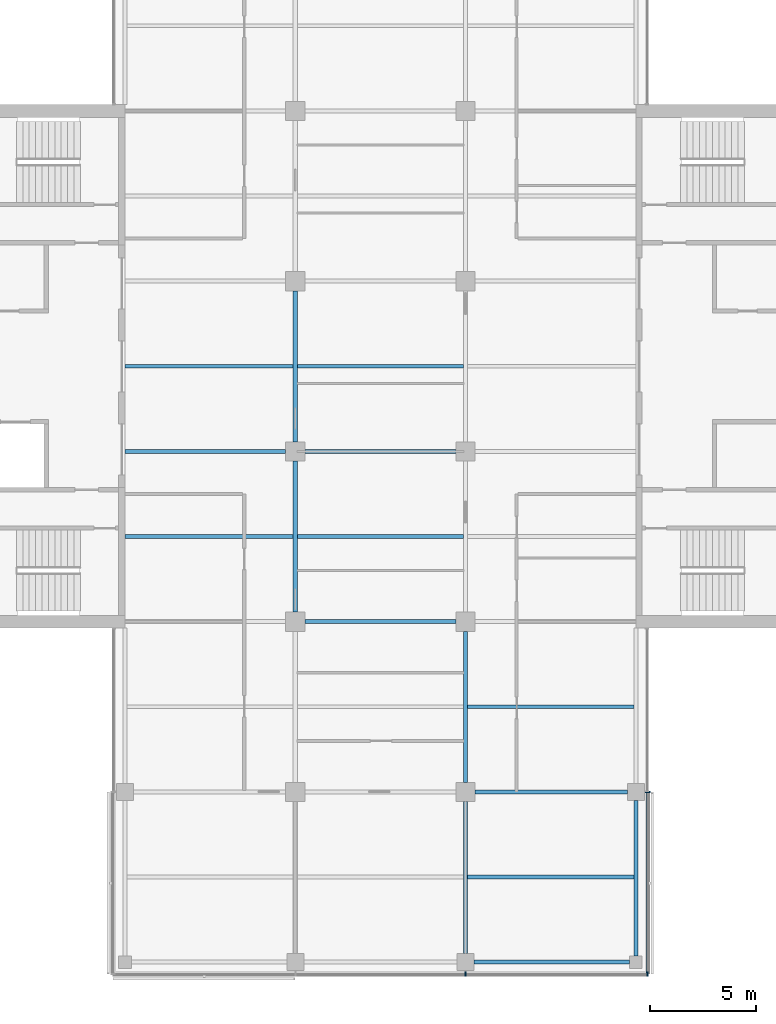
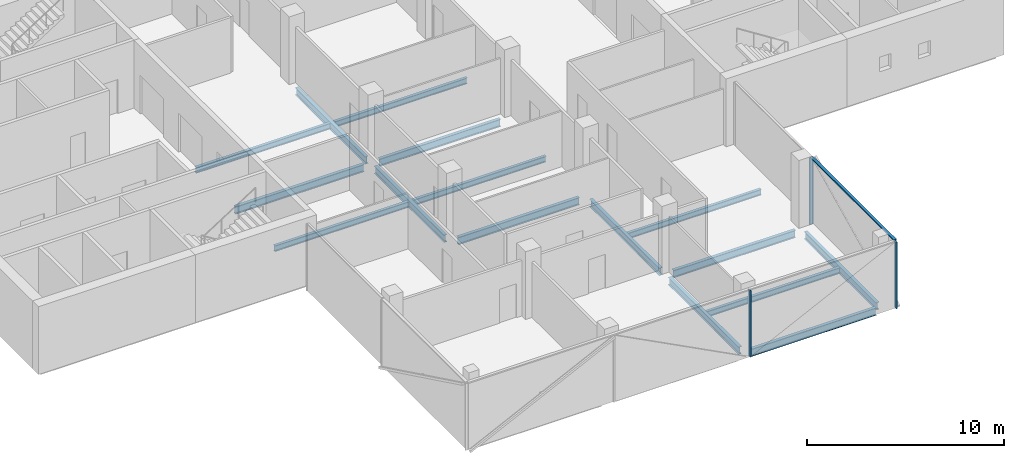
# One storey, part 3 of 15: 16 beams, 4 members, 2 elements without a shape of their own.
"""IFC4 building model written with IfcOpenShell, lengths in metres."""

from ifc_helpers import new_model, si_unit, direction, frame, origin, origin_2d, place, context, subcontext, project, spatial, rectangle, i_section, extrude, material, material_profile, profile_set, type_object, element, aggregate, save


model = new_model("IFC4")

# Units and contexts
model_context = context("Model", 3, precision=1e-05, world=origin(), true_north=direction((0.0, 1.0)))
body_context = subcontext(model_context, "Body", "Model", "MODEL_VIEW")
ifc_project = project(units=[si_unit("LENGTHUNIT", "METRE"), si_unit("AREAUNIT", "SQUARE_METRE"), si_unit("VOLUMEUNIT", "CUBIC_METRE"), si_unit("PLANEANGLEUNIT", "RADIAN"), si_unit("MASSUNIT", "GRAM", prefix="KILO")], contexts=[model_context])

# Site, building, storey
site_placement = place(None, origin())
site = spatial("IfcSite", under=ifc_project, at=site_placement, CompositionType="ELEMENT")
building_placement = place(site_placement, origin())
building = spatial("IfcBuilding", under=site, at=building_placement, Name="Crosswind Convention Tower", CompositionType="ELEMENT")
storey_placement = place(building_placement, frame((0.0, 0.0, 195.699951171875)))
storey = spatial("IfcBuildingStorey", under=building, at=storey_placement, Name="L41", CompositionType="ELEMENT", Elevation=195.699951171875)

# Beams
ifc_material_1 = material(Name="Steel S355", Category="steel")
ifc_material_profile_1 = material_profile(ifc_material_1, i_section(OverallWidth=0.18994140625, OverallDepth=0.45361328125, WebThickness=0.008544921875, FlangeThickness=0.0126953125, FilletRadius=0.01025390625, at=origin_2d()), Name="UB 457x191x67")
ifc_profile_set_1 = profile_set([ifc_material_profile_1], Name="Steel S355")
beam_type_1 = type_object("IfcBeamType", Name="Edge beam UB 457x191x67", PredefinedType="SPANDREL", material=ifc_profile_set_1)
for number, where, z_axis, x_axis, name in (
    (1, (129.39990234375, 72.0, -0.52685546875), (1.0, 0.0, 0.0), (0.0, 1.0, 0.0), "B16 L41 edge beam 9"),
    (2, (137.0, 72.300048828125, -0.52685546875), (0.0, 1.0, 0.0), (-1.0, 0.0, 0.0), "B16 L41 edge beam 11"),
):
    element("IfcBeam", number, at=place(storey_placement, frame(where, z_axis=z_axis, x_axis=x_axis)), inside=storey, type_object=beam_type_1, Name=name, PredefinedType="SPANDREL", context=body_context, shape_type="SweptSolid", body=[
        extrude(i_section(OverallWidth=0.18994140625, OverallDepth=0.45361328125, WebThickness=0.008544921875, FlangeThickness=0.0126953125, FilletRadius=0.01025390625, at=origin_2d()), origin(), (0.0, 0.0, 1.0), 7.300048828125),
    ])
ifc_material_profile_2 = material_profile(ifc_material_1, i_section(OverallWidth=0.1904296875, OverallDepth=0.457275390625, WebThickness=0.009033203125, FlangeThickness=0.014404296875, FilletRadius=0.01025390625, at=origin_2d()), Name="UB 457x191x75")
ifc_profile_set_2 = profile_set([ifc_material_profile_2], Name="Steel S355")
beam_type_2 = type_object("IfcBeamType", Name="Girder UB 457x191x75", PredefinedType="BEAM", material=ifc_profile_set_2)
for number, where, z_axis, x_axis, name in (
    (3, (121.0, 88.449951171875, -0.528564453125), (0.0, 1.0, 0.0), (-1.0, 0.0, 0.0), "B2 L41 girder 5"),
    (4, (121.0, 96.449951171875, -0.528564453125), (0.0, 1.0, 0.0), (-1.0, 0.0, 0.0), "B2 L41 girder 6"),
    (5, (121.449951171875, 88.0, -0.528564453125), (1.0, 0.0, 0.0), (0.0, 1.0, 0.0), "B2 L41 girder 11"),
    (6, (121.449951171875, 96.0, -0.528564453125), (1.0, 0.0, 0.0), (0.0, 1.0, 0.0), "B2 L41 girder 12"),
):
    element("IfcBeam", number, at=place(storey_placement, frame(where, z_axis=z_axis, x_axis=x_axis)), inside=storey, type_object=beam_type_2, Name=name, PredefinedType="BEAM", context=body_context, shape_type="SweptSolid", body=[
        extrude(i_section(OverallWidth=0.1904296875, OverallDepth=0.457275390625, WebThickness=0.009033203125, FlangeThickness=0.014404296875, FilletRadius=0.01025390625, at=origin_2d()), origin(), (0.0, 0.0, 1.0), 7.10009765625),
    ])
beam_1_placement = place(storey_placement, frame((129.0, 72.39990234375, -0.528564453125), z_axis=(0.0, 1.0, 0.0), x_axis=(-1.0, 0.0, 0.0)))
element("IfcBeam", 7, at=beam_1_placement, inside=storey, type_object=beam_type_2, Name="B2 L41 girder 16", PredefinedType="BEAM", context=body_context, shape_type="SweptSolid", body=[
    extrude(i_section(OverallWidth=0.1904296875, OverallDepth=0.457275390625, WebThickness=0.009033203125, FlangeThickness=0.014404296875, FilletRadius=0.01025390625, at=origin_2d()), origin(), (0.0, 0.0, 1.0), 7.150146484375),
])
beam_2_placement = place(storey_placement, frame((129.0, 80.449951171875, -0.528564453125), z_axis=(0.0, 1.0, 0.0), x_axis=(-1.0, 0.0, 0.0)))
element("IfcBeam", 8, at=beam_2_placement, inside=storey, type_object=beam_type_2, Name="B2 L41 girder 17", PredefinedType="BEAM", context=body_context, shape_type="SweptSolid", body=[
    extrude(i_section(OverallWidth=0.1904296875, OverallDepth=0.457275390625, WebThickness=0.009033203125, FlangeThickness=0.014404296875, FilletRadius=0.01025390625, at=origin_2d()), origin(), (0.0, 0.0, 1.0), 7.10009765625),
])
beam_3_placement = place(storey_placement, frame((129.449951171875, 80.0, -0.528564453125), z_axis=(1.0, 0.0, 0.0), x_axis=(0.0, 1.0, 0.0)))
element("IfcBeam", 9, at=beam_3_placement, inside=storey, type_object=beam_type_2, Name="B2 L41 girder 23", PredefinedType="BEAM", context=body_context, shape_type="SweptSolid", body=[
    extrude(i_section(OverallWidth=0.1904296875, OverallDepth=0.457275390625, WebThickness=0.009033203125, FlangeThickness=0.014404296875, FilletRadius=0.01025390625, at=origin_2d()), origin(), (0.0, 0.0, 1.0), 7.150146484375),
])
ifc_material_profile_3 = material_profile(ifc_material_1, i_section(OverallWidth=0.19140625, OverallDepth=0.460205078125, WebThickness=0.010009765625, FlangeThickness=0.01611328125, FilletRadius=0.01025390625, at=origin_2d()), Name="UB 457x191x82")
ifc_profile_set_3 = profile_set([ifc_material_profile_3], Name="Steel S355")
beam_type_3 = type_object("IfcBeamType", Name="Girder at core wall UB 457x191x82", PredefinedType="BEAM", material=ifc_profile_set_3)
beam_4_placement = place(storey_placement, frame((113.0, 96.0, -0.530029296875), z_axis=(1.0, 0.0, 0.0), x_axis=(0.0, 1.0, 0.0)))
element("IfcBeam", 10, at=beam_4_placement, inside=storey, type_object=beam_type_3, Name="B23 L41 girder at core wall 2", PredefinedType="BEAM", context=body_context, shape_type="SweptSolid", body=[
    extrude(i_section(OverallWidth=0.19140625, OverallDepth=0.460205078125, WebThickness=0.010009765625, FlangeThickness=0.01611328125, FilletRadius=0.01025390625, at=origin_2d()), origin(), (0.0, 0.0, 1.0), 7.550048828125),
])

# Curtain wall, members
ifc_material_2 = material(Name="Aluminium unitised curtain wall", Category="aluminium")
curtain_wall_type = type_object("IfcCurtainWallType", Name="OFFICE UNITISED WALL 220", PredefinedType="USERDEFINED", material=ifc_material_2)
curtain_wall_1_placement = place(storey_placement, origin())
curtain_wall_1 = element("IfcCurtainWall", 11, at=curtain_wall_1_placement, inside=storey, type_object=curtain_wall_type, Name="CW3 L41 S-TIP 1", ObjectType="UNITISED", PredefinedType="USERDEFINED")
ifc_material_3 = material(Name="Aluminium mullion", Category="aluminium")
ifc_material_profile_4 = material_profile(ifc_material_3, rectangle(XDim=0.219970703125, YDim=0.070068359375, at=origin_2d()), Name="AL 220X70")
ifc_profile_set_4 = profile_set([ifc_material_profile_4], Name="Aluminium mullion")
member_type_1 = type_object("IfcMemberType", Name="MULLION 70X220", PredefinedType="MULLION", material=ifc_profile_set_4)
member_1_placement = place(storey_placement, frame((129.0, 71.43994140625, -0.300048828125), z_axis=(0.0, 0.0, 1.0), x_axis=(0.0, -1.0, 0.0)))
member_1 = element("IfcMember", 12, at=member_1_placement, type_object=member_type_1, Name="CW3 mullion 3", PredefinedType="MULLION", context=body_context, shape_type="SweptSolid", body=[
    extrude(rectangle(XDim=0.219970703125, YDim=0.070068359375, at=origin_2d()), origin(), (0.0, 0.0, 1.0), 4.130126953125),
])
member_2_placement = place(storey_placement, frame((137.56005859375, 71.43994140625, -0.300048828125), z_axis=(0.0, 0.0, 1.0), x_axis=(0.0, -1.0, 0.0)))
member_2 = element("IfcMember", 13, at=member_2_placement, type_object=member_type_1, Name="CW3 mullion 4", PredefinedType="MULLION", context=body_context, shape_type="SweptSolid", body=[
    extrude(rectangle(XDim=0.219970703125, YDim=0.070068359375, at=origin_2d()), origin(), (0.0, 0.0, 1.0), 4.130126953125),
])
aggregate(curtain_wall_1, [member_1, member_2])

# Curtain wall, member
curtain_wall_2_placement = place(storey_placement, origin())
curtain_wall_2 = element("IfcCurtainWall", 14, at=curtain_wall_2_placement, inside=storey, type_object=curtain_wall_type, Name="CW3 L41 S-E 1", ObjectType="UNITISED", PredefinedType="USERDEFINED")
member_3_placement = place(storey_placement, frame((137.56005859375, 80.0, -0.300048828125), z_axis=(0.0, 0.0, 1.0), x_axis=(1.0, 0.0, 0.0)))
member_3 = element("IfcMember", 15, at=member_3_placement, type_object=member_type_1, Name="CW3 mullion 2", PredefinedType="MULLION", context=body_context, shape_type="SweptSolid", body=[
    extrude(rectangle(XDim=0.219970703125, YDim=0.070068359375, at=origin_2d()), origin(), (0.0, 0.0, 1.0), 4.130126953125),
])

# Beams
ifc_material_profile_5 = material_profile(ifc_material_1, i_section(OverallWidth=0.172119140625, OverallDepth=0.358642578125, WebThickness=0.008056640625, FlangeThickness=0.012939453125, FilletRadius=0.01025390625, at=origin_2d()), Name="UB 356x171x57")
ifc_profile_set_5 = profile_set([ifc_material_profile_5], Name="Steel S355")
beam_type_4 = type_object("IfcBeamType", Name="Secondary beam UB 356x171x57", PredefinedType="JOIST", material=ifc_profile_set_5)
for number, where, z_axis, x_axis, name in (
    (16, (113.0, 92.0, -0.479248046875), (1.0, 0.0, 0.0), (0.0, 1.0, 0.0), "B9 L41 secondary beam 1"),
    (17, (113.0, 100.0, -0.479248046875), (1.0, 0.0, 0.0), (0.0, 1.0, 0.0), "B9 L41 secondary beam 2"),
):
    element("IfcBeam", number, at=place(storey_placement, frame(where, z_axis=z_axis, x_axis=x_axis)), inside=storey, type_object=beam_type_4, Name=name, PredefinedType="JOIST", context=body_context, shape_type="SweptSolid", body=[
        extrude(i_section(OverallWidth=0.172119140625, OverallDepth=0.358642578125, WebThickness=0.008056640625, FlangeThickness=0.012939453125, FilletRadius=0.01025390625, at=origin_2d()), origin(), (0.0, 0.0, 1.0), 7.90478515625),
    ])
for number, where, z_axis, x_axis, name in (
    (18, (121.09521484375, 92.0, -0.479248046875), (1.0, 0.0, 0.0), (0.0, 1.0, 0.0), "B9 L41 secondary beam 10"),
    (19, (121.09521484375, 100.0, -0.479248046875), (1.0, 0.0, 0.0), (0.0, 1.0, 0.0), "B9 L41 secondary beam 11"),
):
    element("IfcBeam", number, at=place(storey_placement, frame(where, z_axis=z_axis, x_axis=x_axis)), inside=storey, type_object=beam_type_4, Name=name, PredefinedType="JOIST", context=body_context, shape_type="SweptSolid", body=[
        extrude(i_section(OverallWidth=0.172119140625, OverallDepth=0.358642578125, WebThickness=0.008056640625, FlangeThickness=0.012939453125, FilletRadius=0.01025390625, at=origin_2d()), origin(), (0.0, 0.0, 1.0), 7.8095703125),
    ])
for number, where, z_axis, x_axis, name in (
    (20, (129.09521484375, 76.0, -0.479248046875), (1.0, 0.0, 0.0), (0.0, 1.0, 0.0), "B9 L41 secondary beam 15"),
    (21, (129.09521484375, 84.0, -0.479248046875), (1.0, 0.0, 0.0), (0.0, 1.0, 0.0), "B9 L41 secondary beam 16"),
):
    element("IfcBeam", number, at=place(storey_placement, frame(where, z_axis=z_axis, x_axis=x_axis)), inside=storey, type_object=beam_type_4, Name=name, PredefinedType="JOIST", context=body_context, shape_type="SweptSolid", body=[
        extrude(i_section(OverallWidth=0.172119140625, OverallDepth=0.358642578125, WebThickness=0.008056640625, FlangeThickness=0.012939453125, FilletRadius=0.01025390625, at=origin_2d()), origin(), (0.0, 0.0, 1.0), 7.809814453125),
    ])

# Member
ifc_material_4 = material(Name="Aluminium transom", Category="aluminium")
ifc_material_profile_6 = material_profile(ifc_material_4, rectangle(XDim=0.159912109375, YDim=0.070068359375, at=origin_2d()), Name="AL 160X70")
ifc_profile_set_6 = profile_set([ifc_material_profile_6], Name="Aluminium transom")
member_type_2 = type_object("IfcMemberType", Name="TRANSOM 70X160", PredefinedType="USERDEFINED", material=ifc_profile_set_6)
member_4_placement = place(storey_placement, frame((137.56005859375, 71.47509765625, 3.864990234375), z_axis=(0.0, 1.0, 0.0), x_axis=(-1.0, 0.0, 0.0)))
member_4 = element("IfcMember", 22, at=member_4_placement, type_object=member_type_2, Name="CW3 transom", ObjectType="TRANSOM", PredefinedType="USERDEFINED", context=body_context, shape_type="SweptSolid", body=[
    extrude(rectangle(XDim=0.159912109375, YDim=0.070068359375, at=origin_2d()), origin(), (0.0, 0.0, 1.0), 8.489990234375),
])

aggregate(curtain_wall_2, [member_3, member_4])

save(model, "model.ifc")
